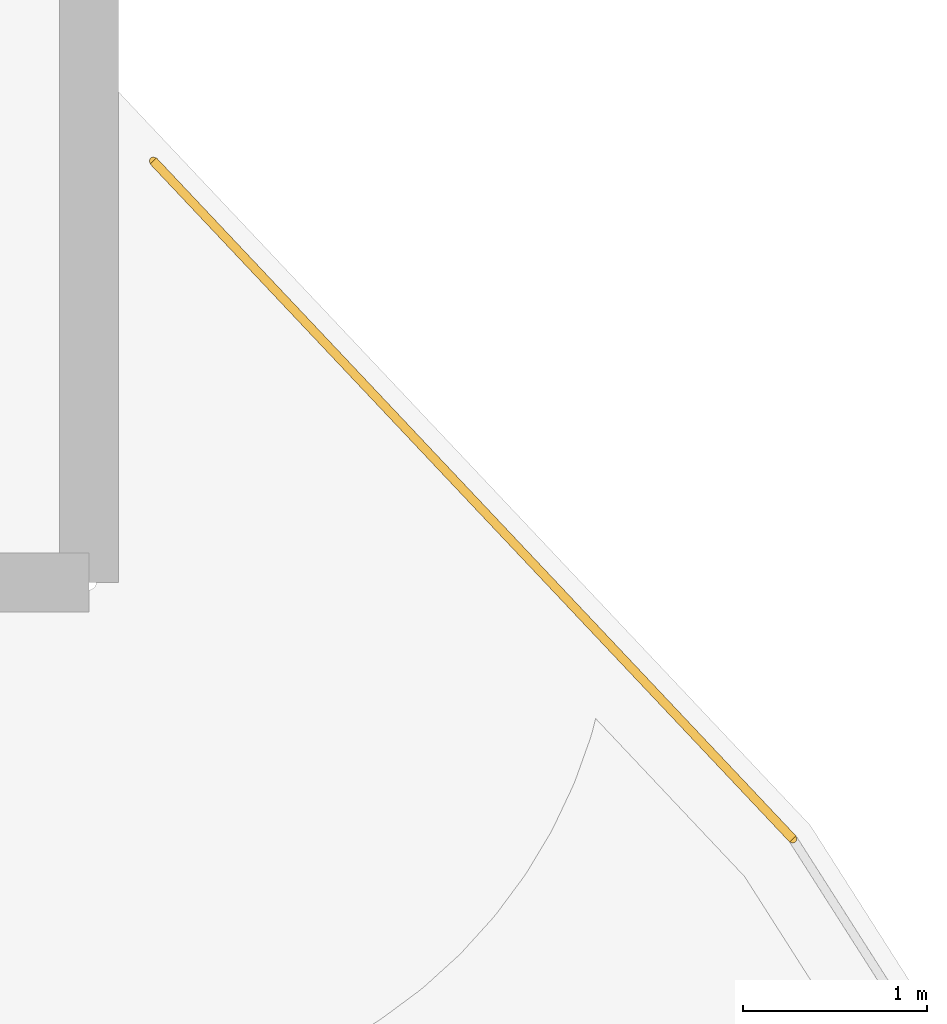
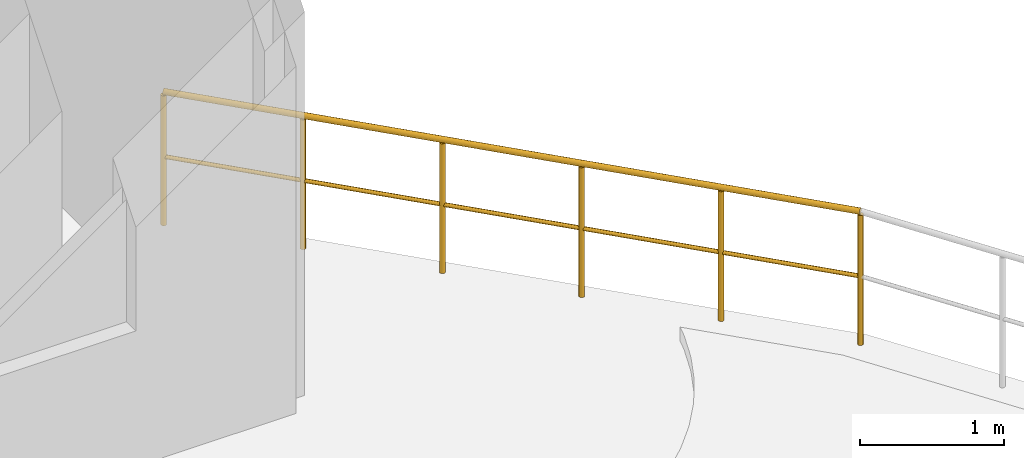
# One storey, part 48 of 48: 1 railing.
"""IFC4 building model written with IfcOpenShell, lengths in metres."""

from ifc_helpers import new_model, si_unit, direction, frame, origin, origin_2d, place, context, subcontext, project, spatial, circle, extrude, material, type_object, element, save


model = new_model("IFC4")

# Units and contexts
model_context = context("Model", 3, precision=1e-05, world=origin(), true_north=direction((0.0, 1.0)))
body_context = subcontext(model_context, "Body", "Model", "MODEL_VIEW")
ifc_project = project(units=[si_unit("LENGTHUNIT", "METRE"), si_unit("AREAUNIT", "SQUARE_METRE"), si_unit("VOLUMEUNIT", "CUBIC_METRE"), si_unit("PLANEANGLEUNIT", "RADIAN"), si_unit("MASSUNIT", "GRAM", prefix="KILO")], contexts=[model_context])

# Site, building, storey
site_placement = place(None, origin())
site = spatial("IfcSite", under=ifc_project, at=site_placement, CompositionType="ELEMENT")
building_placement = place(site_placement, origin())
building = spatial("IfcBuilding", under=site, at=building_placement, Name="Glasvene Arena", CompositionType="ELEMENT")
storey_placement = place(building_placement, frame((0.0, 0.0, 19.5)))
storey = spatial("IfcBuildingStorey", under=building, at=storey_placement, Name="L04", CompositionType="ELEMENT", Elevation=19.5)

# Railing
ifc_material = material(Name="Warm bronze architectural aluminium", Category="aluminium")
railing_type = type_object("IfcRailingType", Name="RL-GUARD-EXT-1150", PredefinedType="GUARDRAIL", material=ifc_material)
railing_placement = place(storey_placement, frame((142.85009765625, 92.28857421875, 0.0)))
element("IfcRailing", 1, at=railing_placement, inside=storey, type_object=railing_type, Name="Safety guardrail GD-TER-L04-TR-L04-STEP3-2-02-001", PredefinedType="GUARDRAIL", context=body_context, shape_type="SweptSolid", body=[
    extrude(circle(Radius=0.02392578125, at=origin_2d()), frame((0.0, 0.0, 1.1259765625), z_axis=(0.68614718371, -0.727462742886, 0.0), x_axis=(0.727462742886, 0.68614718371, 0.0)), (0.0, 0.0, 1.0), 5.058349609375),
    extrude(circle(Radius=0.01611328125, at=origin_2d()), frame((0.0, 0.0, 0.574951171875), z_axis=(0.68614718371, -0.727462742886, 0.0), x_axis=(0.727462742886, 0.68614718371, 0.0)), (0.0, 0.0, 1.0), 5.058349609375),
    extrude(circle(Radius=0.02099609375, at=origin_2d()), origin(), (0.0, 0.0, 1.0), 1.101806640625),
    extrude(circle(Radius=0.02099609375, at=origin_2d()), frame((0.694091796875, -0.73583984375, 0.0)), (0.0, 0.0, 1.0), 1.101806640625),
    extrude(circle(Radius=0.02099609375, at=origin_2d()), frame((1.38818359375, -1.471923828125, 0.0)), (0.0, 0.0, 1.0), 1.101806640625),
    extrude(circle(Radius=0.02099609375, at=origin_2d()), frame((2.08251953125, -2.207763671875, 0.0)), (0.0, 0.0, 1.0), 1.101806640625),
    extrude(circle(Radius=0.02099609375, at=origin_2d()), frame((2.776611328125, -2.94384765625, 0.0)), (0.0, 0.0, 1.0), 1.101806640625),
    extrude(circle(Radius=0.02099609375, at=origin_2d()), frame((3.470703125, -3.6796875, 0.0)), (0.0, 0.0, 1.0), 1.101806640625),
])

save(model, "model.ifc")
